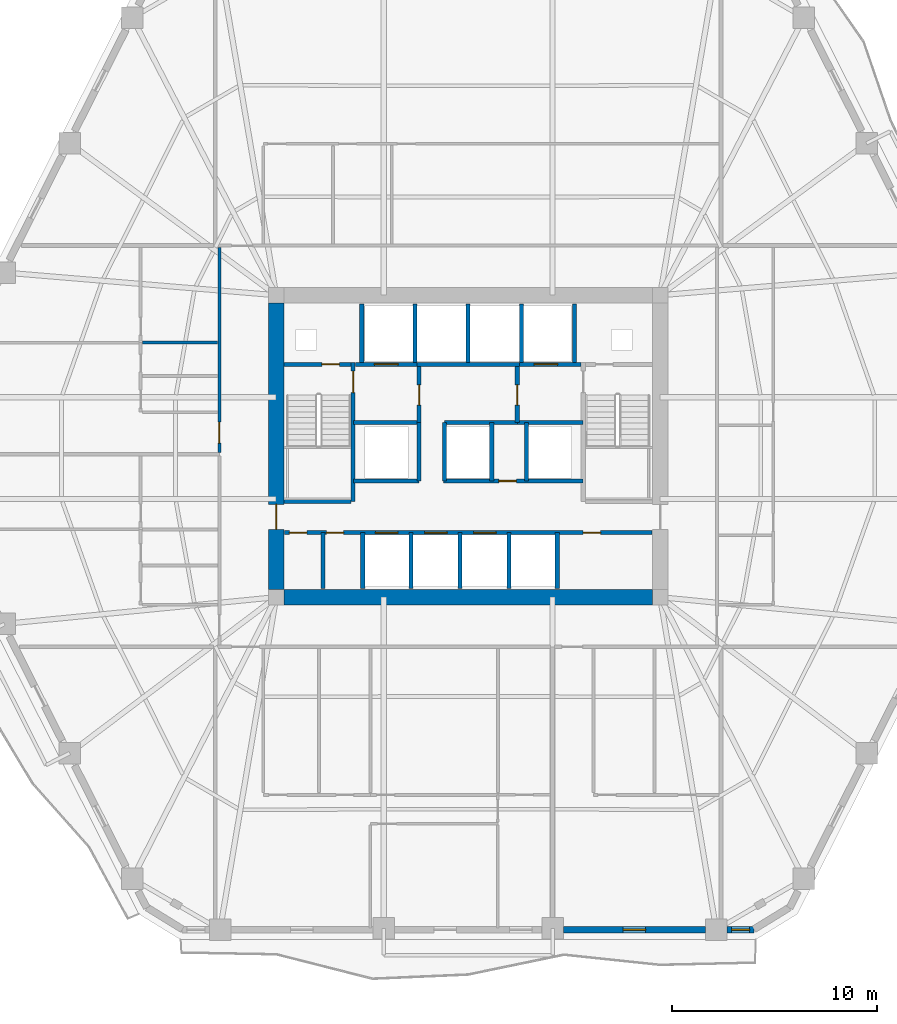
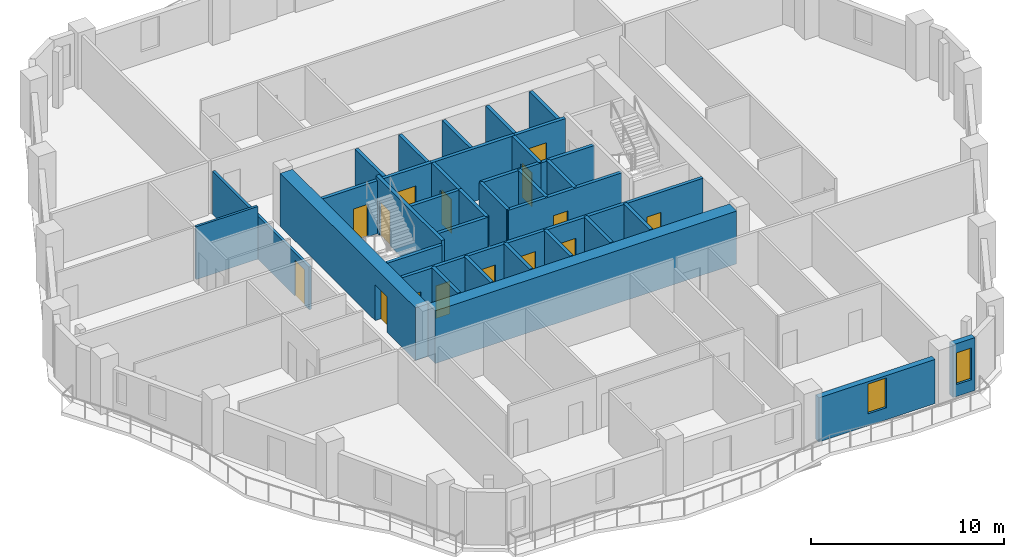
# One storey, part 5 of 10: 35 walls, 15 doors, 2 windows, 17 openings.
"""IFC4 building model written with IfcOpenShell, lengths in metres."""

from ifc_helpers import new_model, si_unit, direction, frame, frame_2d, origin, place, context, subcontext, project, spatial, rectangle, extrude, material, layer, layer_set, type_object, element, fill, save


model = new_model("IFC4")

# Units and contexts
model_context = context("Model", 3, precision=1e-05, world=origin(), true_north=direction((0.0, 1.0)))
body_context = subcontext(model_context, "Body", "Model", "MODEL_VIEW")
ifc_project = project(units=[si_unit("LENGTHUNIT", "METRE"), si_unit("AREAUNIT", "SQUARE_METRE"), si_unit("VOLUMEUNIT", "CUBIC_METRE"), si_unit("PLANEANGLEUNIT", "RADIAN"), si_unit("MASSUNIT", "GRAM", prefix="KILO")], contexts=[model_context])

# Site, building, storey
site_placement = place(None, origin())
site = spatial("IfcSite", under=ifc_project, at=site_placement, CompositionType="ELEMENT")
building_placement = place(site_placement, origin())
building = spatial("IfcBuilding", under=site, at=building_placement, Name="Cinnabar Lancet Tower", CompositionType="ELEMENT")
storey_placement = place(building_placement, frame((0.0, 0.0, 87.10009765625)))
storey = spatial("IfcBuildingStorey", under=building, at=storey_placement, Name="L22", CompositionType="ELEMENT", Elevation=87.10009765625)

# Wall, opening, door
ifc_material_1 = material(Name="Acoustic twin-stud gypsum partition", Category="gypsum")
ifc_layer_1 = layer(ifc_material_1, 0.159912109375)
ifc_layer_set_1 = layer_set([ifc_layer_1], Name="Acoustic twin-stud gypsum partition")
wall_type_1 = type_object("IfcWallType", Name="ARC-WL-CORR-160", PredefinedType="PARTITIONING", material=ifc_layer_set_1)
wall_1_placement = place(storey_placement, frame((20.25, 25.60302734375, 0.0), z_axis=(0.0, 0.0, 1.0), x_axis=(0.0, 1.0, 0.0)))
wall_1 = element("IfcWall", 1, at=wall_1_placement, inside=storey, type_object=wall_type_1, Name="UW-L22-W02-COR", PredefinedType="PARTITIONING", context=body_context, shape_type="SweptSolid", body=[
    extrude(rectangle(XDim=10.001953125, YDim=0.159912109375, at=frame_2d((5.0009765625, 0.0))), origin(), (0.0, 0.0, 1.0), 2.699951171875),
])
opening_1_placement = place(wall_1_placement, frame((0.449951171875, 0.0, 0.0)))
opening_1 = element("IfcOpeningElement", 2, at=opening_1_placement, cuts=wall_1, Name="Opening UD-01", PredefinedType="OPENING", context=body_context, shape_type="SweptSolid", body=[
    extrude(rectangle(XDim=1.02001953125, YDim=2.25, at=frame_2d((0.510009765625, 1.125))), frame((0.0, 0.08984375, 0.0), z_axis=(0.0, -1.0, 0.0), x_axis=(1.0, 0.0, 0.0)), (0.0, 0.0, 1.0), 0.179931640625),
])
ifc_material_2 = material(Name="Solid timber fire-rated apartment entrance door", Category="wood")
door_type_1 = type_object("IfcDoorType", Name="ARC-DR-UNIT", OperationType="NOTDEFINED", PredefinedType="DOOR", material=ifc_material_2)
door_1_placement = place(opening_1_placement, origin())
door_1 = element("IfcDoor", 3, at=door_1_placement, inside=storey, type_object=door_type_1, Name="DR-L22-W02-ENT", OperationType="SINGLE_SWING_RIGHT", OverallHeight=2.25, OverallWidth=1.02001953125, PredefinedType="DOOR", context=body_context, shape_type="SweptSolid", body=[
    extrude(rectangle(XDim=1.02001953125, YDim=2.25, at=frame_2d((0.510009765625, 1.125))), frame((0.0, 0.02490234375, 0.0), z_axis=(0.0, -1.0, 0.0), x_axis=(1.0, 0.0, 0.0)), (0.0, 0.0, 1.0), 0.050048828125),
])
fill(opening_1, door_1)

# Wall
ifc_material_3 = material(Name="Autoclaved aerated concrete blockwork", Category="masonry")
ifc_layer_2 = layer(ifc_material_3, 0.199951171875)
ifc_layer_set_2 = layer_set([ifc_layer_2], Name="Autoclaved aerated concrete blockwork")
wall_type_2 = type_object("IfcWallType", Name="ARC-WL-SHAFT-200", PredefinedType="PLUMBINGWALL", material=ifc_layer_set_2)
wall_2_placement = place(storey_placement, frame((23.405029296875, 23.199951171875, 0.0), z_axis=(0.0, 0.0, 1.0), x_axis=(1.0, 0.0, 0.0)))
element("IfcWall", 4, at=wall_2_placement, inside=storey, type_object=wall_type_2, Name="CW-ST1S-L22", PredefinedType="PLUMBINGWALL", context=body_context, shape_type="SweptSolid", body=[
    extrude(rectangle(XDim=3.27001953125, YDim=0.199951171875, at=frame_2d((1.635009765625, 0.0))), origin(), (0.0, 0.0, 1.0), 3.329833984375),
])

# Wall, opening, door
wall_3_placement = place(storey_placement, frame((23.405029296875, 29.89990234375, 0.0), z_axis=(0.0, 0.0, 1.0), x_axis=(1.0, 0.0, 0.0)))
wall_3 = element("IfcWall", 5, at=wall_3_placement, inside=storey, type_object=wall_type_2, Name="CW-NSH-W-L22", PredefinedType="PLUMBINGWALL", context=body_context, shape_type="SweptSolid", body=[
    extrude(rectangle(XDim=3.27001953125, YDim=0.199951171875, at=frame_2d((1.635009765625, 0.0))), origin(), (0.0, 0.0, 1.0), 3.329833984375),
])
opening_2_placement = place(wall_3_placement, frame((1.85009765625, 0.0, 0.0)))
opening_2 = element("IfcOpeningElement", 6, at=opening_2_placement, cuts=wall_3, Name="Opening PD-02", PredefinedType="OPENING", context=body_context, shape_type="SweptSolid", body=[
    extrude(rectangle(XDim=0.85009765625, YDim=2.050048828125, at=frame_2d((0.425048828125, 1.02490234375))), frame((0.0, 0.10986328125, 0.0), z_axis=(0.0, -1.0, 0.0), x_axis=(1.0, 0.0, 0.0)), (0.0, 0.0, 1.0), 0.219970703125),
])
ifc_material_4 = material(Name="Fire-rated steel riser access door", Category="steel")
door_type_2 = type_object("IfcDoorType", Name="ARC-DR-RISER", OperationType="NOTDEFINED", PredefinedType="DOOR", material=ifc_material_4)
door_2_placement = place(opening_2_placement, origin())
door_2 = element("IfcDoor", 7, at=door_2_placement, inside=storey, type_object=door_type_2, Name="L22 West Riser Access Door", OperationType="SINGLE_SWING_LEFT", OverallHeight=2.050048828125, OverallWidth=0.85009765625, PredefinedType="DOOR", context=body_context, shape_type="SweptSolid", body=[
    extrude(rectangle(XDim=0.85009765625, YDim=2.050048828125, at=frame_2d((0.425048828125, 1.02490234375))), frame((0.0, 0.02490234375, 0.0), z_axis=(0.0, -1.0, 0.0), x_axis=(1.0, 0.0, 0.0)), (0.0, 0.0, 1.0), 0.050048828125),
])
fill(opening_2, door_2)

wall_4_placement = place(storey_placement, frame((26.885009765625, 29.89990234375, 0.0), z_axis=(0.0, 0.0, 1.0), x_axis=(1.0, 0.0, 0.0)))
wall_4 = element("IfcWall", 8, at=wall_4_placement, inside=storey, type_object=wall_type_2, Name="CW-FL1-L22", PredefinedType="PLUMBINGWALL", context=body_context, shape_type="SweptSolid", body=[
    extrude(rectangle(XDim=3.014892578125, YDim=0.199951171875, at=frame_2d((1.50732421875, 0.0))), origin(), (0.0, 0.0, 1.0), 3.329833984375),
])
opening_3_placement = place(wall_4_placement, frame((0.93994140625, 0.0, 0.0)))
opening_3 = element("IfcOpeningElement", 9, at=opening_3_placement, cuts=wall_4, Name="Opening LD-02", PredefinedType="OPENING", context=body_context, shape_type="SweptSolid", body=[
    extrude(rectangle(XDim=1.14990234375, YDim=2.199951171875, at=frame_2d((0.574951171875, 1.10009765625))), frame((0.0, 0.10986328125, 0.0), z_axis=(0.0, -1.0, 0.0), x_axis=(1.0, 0.0, 0.0)), (0.0, 0.0, 1.0), 0.219970703125),
])
ifc_material_5 = material(Name="Fire-rated stainless steel firefighting lift landing door", Category="steel")
door_type_3 = type_object("IfcDoorType", Name="ARC-DR-LD-FIRE", OperationType="NOTDEFINED", PredefinedType="DOOR", material=ifc_material_5)
door_3_placement = place(opening_3_placement, origin())
door_3 = element("IfcDoor", 10, at=door_3_placement, inside=storey, type_object=door_type_3, Name="L22 Firefighting Lift FL-1 Landing Door", OperationType="DOUBLE_DOOR_SLIDING", OverallHeight=2.199951171875, OverallWidth=1.14990234375, PredefinedType="DOOR", context=body_context, shape_type="SweptSolid", body=[
    extrude(rectangle(XDim=1.14990234375, YDim=2.199951171875, at=frame_2d((0.574951171875, 1.10009765625))), frame((0.0, 0.02490234375, 0.0), z_axis=(0.0, -1.0, 0.0), x_axis=(1.0, 0.0, 0.0)), (0.0, 0.0, 1.0), 0.050048828125),
])
fill(opening_3, door_3)

# Wall
wall_5_placement = place(storey_placement, frame((29.89990234375, 29.89990234375, 0.0), z_axis=(0.0, 0.0, 1.0), x_axis=(1.0, 0.0, 0.0)))
element("IfcWall", 11, at=wall_5_placement, inside=storey, type_object=wall_type_2, Name="CW-PL78-L22", PredefinedType="PLUMBINGWALL", context=body_context, shape_type="SweptSolid", body=[
    extrude(rectangle(XDim=5.0, YDim=0.199951171875, at=frame_2d((2.5, 0.0))), origin(), (0.0, 0.0, 1.0), 3.329833984375),
])

# Wall, opening, door
wall_6_placement = place(storey_placement, frame((34.89990234375, 29.89990234375, 0.0), z_axis=(0.0, 0.0, 1.0), x_axis=(1.0, 0.0, 0.0)))
wall_6 = element("IfcWall", 12, at=wall_6_placement, inside=storey, type_object=wall_type_2, Name="CW-FL2-L22", PredefinedType="PLUMBINGWALL", context=body_context, shape_type="SweptSolid", body=[
    extrude(rectangle(XDim=3.01513671875, YDim=0.199951171875, at=frame_2d((1.507568359375, 0.0))), origin(), (0.0, 0.0, 1.0), 3.329833984375),
])
opening_4_placement = place(wall_6_placement, frame((0.72509765625, 0.0, 0.0)))
opening_4 = element("IfcOpeningElement", 13, at=opening_4_placement, cuts=wall_6, Name="Opening LD-02", PredefinedType="OPENING", context=body_context, shape_type="SweptSolid", body=[
    extrude(rectangle(XDim=1.14990234375, YDim=2.199951171875, at=frame_2d((0.574951171875, 1.10009765625))), frame((0.0, 0.10986328125, 0.0), z_axis=(0.0, -1.0, 0.0), x_axis=(1.0, 0.0, 0.0)), (0.0, 0.0, 1.0), 0.219970703125),
])
door_4_placement = place(opening_4_placement, origin())
door_4 = element("IfcDoor", 14, at=door_4_placement, inside=storey, type_object=door_type_3, Name="L22 Firefighting Lift FL-2 Landing Door", OperationType="DOUBLE_DOOR_SLIDING", OverallHeight=2.199951171875, OverallWidth=1.14990234375, PredefinedType="DOOR", context=body_context, shape_type="SweptSolid", body=[
    extrude(rectangle(XDim=1.14990234375, YDim=2.199951171875, at=frame_2d((0.574951171875, 1.10009765625))), frame((0.0, 0.02490234375, 0.0), z_axis=(0.0, -1.0, 0.0), x_axis=(1.0, 0.0, 0.0)), (0.0, 0.0, 1.0), 0.050048828125),
])
fill(opening_4, door_4)

# Walls
for number, where, z_axis, x_axis, name in (
    (15, (27.199951171875, 30.0, 0.0), (0.0, 0.0, 1.0), (0.0, 1.0, 0.0), "CW-NSH-D1-L22"),
    (16, (29.800048828125, 30.0, 0.0), (0.0, 0.0, 1.0), (0.0, 1.0, 0.0), "CW-NSH-D2-L22"),
    (17, (32.39990234375, 30.0, 0.0), (0.0, 0.0, 1.0), (0.0, 1.0, 0.0), "CW-NSH-D3-L22"),
    (18, (35.0, 30.0, 0.0), (0.0, 0.0, 1.0), (0.0, 1.0, 0.0), "CW-NSH-D4-L22"),
    (19, (37.60009765625, 30.0, 0.0), (0.0, 0.0, 1.0), (0.0, 1.0, 0.0), "CW-NSH-D5-L22"),
):
    element("IfcWall", number, at=place(storey_placement, frame(where, z_axis=z_axis, x_axis=x_axis)), inside=storey, type_object=wall_type_2, Name=name, PredefinedType="PLUMBINGWALL", context=body_context, shape_type="SweptSolid", body=[
        extrude(rectangle(XDim=2.85009765625, YDim=0.199951171875, at=frame_2d((1.425048828125, 0.0))), origin(), (0.0, 0.0, 1.0), 3.329833984375),
    ])

# Wall, opening, door
wall_7_placement = place(storey_placement, frame((30.0, 27.050048828125, 0.0), z_axis=(0.0, 0.0, 1.0), x_axis=(0.0, 1.0, 0.0)))
wall_7 = element("IfcWall", 20, at=wall_7_placement, inside=storey, type_object=wall_type_2, Name="CW-FF1E-L22", PredefinedType="PLUMBINGWALL", context=body_context, shape_type="SweptSolid", body=[
    extrude(rectangle(XDim=2.75, YDim=0.199951171875, at=frame_2d((1.375, 0.0))), origin(), (0.0, 0.0, 1.0), 3.329833984375),
])
opening_5_placement = place(wall_7_placement, frame((0.85009765625, 0.0, 0.0)))
opening_5 = element("IfcOpeningElement", 21, at=opening_5_placement, cuts=wall_7, Name="Opening FD-01", PredefinedType="OPENING", context=body_context, shape_type="SweptSolid", body=[
    extrude(rectangle(XDim=1.0, YDim=2.14990234375, at=frame_2d((0.5, 1.074951171875))), frame((0.0, 0.10986328125, 0.0), z_axis=(0.0, -1.0, 0.0), x_axis=(1.0, 0.0, 0.0)), (0.0, 0.0, 1.0), 0.219970703125),
])
ifc_material_6 = material(Name="Fire-rated timber-core lobby door", Category="wood")
door_type_4 = type_object("IfcDoorType", Name="ARC-DR-FFAL", OperationType="NOTDEFINED", PredefinedType="DOOR", material=ifc_material_6)
door_5_placement = place(opening_5_placement, origin())
door_5 = element("IfcDoor", 22, at=door_5_placement, inside=storey, type_object=door_type_4, Name="L22 FFAL-1 Lobby Fire Door", OperationType="SINGLE_SWING_RIGHT", OverallHeight=2.14990234375, OverallWidth=1.0, PredefinedType="DOOR", context=body_context, shape_type="SweptSolid", body=[
    extrude(rectangle(XDim=1.0, YDim=2.14990234375, at=frame_2d((0.5, 1.074951171875))), frame((0.0, 0.02490234375, 0.0), z_axis=(0.0, -1.0, 0.0), x_axis=(1.0, 0.0, 0.0)), (0.0, 0.0, 1.0), 0.050048828125),
])
fill(opening_5, door_5)

# Wall
wall_8_placement = place(storey_placement, frame((26.800048828125, 27.050048828125, 0.0), z_axis=(0.0, 0.0, 1.0), x_axis=(1.0, 0.0, 0.0)))
element("IfcWall", 23, at=wall_8_placement, inside=storey, type_object=wall_type_2, Name="CW-FF1S-L22", PredefinedType="PLUMBINGWALL", context=body_context, shape_type="SweptSolid", body=[
    extrude(rectangle(XDim=3.199951171875, YDim=0.199951171875, at=frame_2d((1.60009765625, 0.0))), origin(), (0.0, 0.0, 1.0), 3.329833984375),
])

# Wall, opening, door
wall_9_placement = place(storey_placement, frame((34.800048828125, 27.050048828125, 0.0), z_axis=(0.0, 0.0, 1.0), x_axis=(0.0, 1.0, 0.0)))
wall_9 = element("IfcWall", 24, at=wall_9_placement, inside=storey, type_object=wall_type_2, Name="CW-FF2W-L22", PredefinedType="PLUMBINGWALL", context=body_context, shape_type="SweptSolid", body=[
    extrude(rectangle(XDim=2.75, YDim=0.199951171875, at=frame_2d((1.375, 0.0))), origin(), (0.0, 0.0, 1.0), 3.329833984375),
])
opening_6_placement = place(wall_9_placement, frame((0.85009765625, 0.0, 0.0)))
opening_6 = element("IfcOpeningElement", 25, at=opening_6_placement, cuts=wall_9, Name="Opening FD-01", PredefinedType="OPENING", context=body_context, shape_type="SweptSolid", body=[
    extrude(rectangle(XDim=1.0, YDim=2.14990234375, at=frame_2d((0.5, 1.074951171875))), frame((0.0, 0.10986328125, 0.0), z_axis=(0.0, -1.0, 0.0), x_axis=(1.0, 0.0, 0.0)), (0.0, 0.0, 1.0), 0.219970703125),
])
door_6_placement = place(opening_6_placement, origin())
door_6 = element("IfcDoor", 26, at=door_6_placement, inside=storey, type_object=door_type_4, Name="L22 FFAL-2 Lobby Fire Door", OperationType="SINGLE_SWING_LEFT", OverallHeight=2.14990234375, OverallWidth=1.0, PredefinedType="DOOR", context=body_context, shape_type="SweptSolid", body=[
    extrude(rectangle(XDim=1.0, YDim=2.14990234375, at=frame_2d((0.5, 1.074951171875))), frame((0.0, 0.02490234375, 0.0), z_axis=(0.0, -1.0, 0.0), x_axis=(1.0, 0.0, 0.0)), (0.0, 0.0, 1.0), 0.050048828125),
])
fill(opening_6, door_6)

# Walls
for number, where, z_axis, x_axis, name in (
    (27, (34.800048828125, 27.050048828125, 0.0), (0.0, 0.0, 1.0), (1.0, 0.0, 0.0), "CW-FF2S-L22"),
    (28, (26.800048828125, 24.199951171875, 0.0), (0.0, 0.0, 1.0), (1.0, 0.0, 0.0), "CW-PL5S-L22"),
):
    element("IfcWall", number, at=place(storey_placement, frame(where, z_axis=z_axis, x_axis=x_axis)), inside=storey, type_object=wall_type_2, Name=name, PredefinedType="PLUMBINGWALL", context=body_context, shape_type="SweptSolid", body=[
        extrude(rectangle(XDim=3.199951171875, YDim=0.199951171875, at=frame_2d((1.60009765625, 0.0))), origin(), (0.0, 0.0, 1.0), 3.329833984375),
    ])
wall_10_placement = place(storey_placement, frame((30.0, 24.199951171875, 0.0), z_axis=(0.0, 0.0, 1.0), x_axis=(0.0, 1.0, 0.0)))
element("IfcWall", 29, at=wall_10_placement, inside=storey, type_object=wall_type_2, Name="CW-PL5E-L22", PredefinedType="PLUMBINGWALL", context=body_context, shape_type="SweptSolid", body=[
    extrude(rectangle(XDim=2.85009765625, YDim=0.199951171875, at=frame_2d((1.425048828125, 0.0))), origin(), (0.0, 0.0, 1.0), 3.329833984375),
])

# Wall, opening, door
wall_11_placement = place(storey_placement, frame((31.199951171875, 24.199951171875, 0.0), z_axis=(0.0, 0.0, 1.0), x_axis=(1.0, 0.0, 0.0)))
wall_11 = element("IfcWall", 30, at=wall_11_placement, inside=storey, type_object=wall_type_2, Name="CW-PL96S-L22", PredefinedType="PLUMBINGWALL", context=body_context, shape_type="SweptSolid", body=[
    extrude(rectangle(XDim=6.800048828125, YDim=0.199951171875, at=frame_2d((3.39990234375, 0.0))), origin(), (0.0, 0.0, 1.0), 3.329833984375),
])
opening_7_placement = place(wall_11_placement, frame((2.699951171875, 0.0, 0.0)))
opening_7 = element("IfcOpeningElement", 31, at=opening_7_placement, cuts=wall_11, Name="Opening PD-02", PredefinedType="OPENING", context=body_context, shape_type="SweptSolid", body=[
    extrude(rectangle(XDim=0.85009765625, YDim=2.050048828125, at=frame_2d((0.425048828125, 1.02490234375))), frame((0.0, 0.10986328125, 0.0), z_axis=(0.0, -1.0, 0.0), x_axis=(1.0, 0.0, 0.0)), (0.0, 0.0, 1.0), 0.219970703125),
])
door_7_placement = place(opening_7_placement, origin())
door_7 = element("IfcDoor", 32, at=door_7_placement, inside=storey, type_object=door_type_2, Name="L22 BMS Closet Door", OperationType="SINGLE_SWING_LEFT", OverallHeight=2.050048828125, OverallWidth=0.85009765625, PredefinedType="DOOR", context=body_context, shape_type="SweptSolid", body=[
    extrude(rectangle(XDim=0.85009765625, YDim=2.050048828125, at=frame_2d((0.425048828125, 1.02490234375))), frame((0.0, 0.02490234375, 0.0), z_axis=(0.0, -1.0, 0.0), x_axis=(1.0, 0.0, 0.0)), (0.0, 0.0, 1.0), 0.050048828125),
])
fill(opening_7, door_7)

# Walls
for number, where, z_axis, x_axis, name in (
    (33, (31.25, 24.199951171875, 0.0), (0.0, 0.0, 1.0), (0.0, 1.0, 0.0), "CW-PL9W-L22"),
    (34, (33.550048828125, 24.199951171875, 0.0), (0.0, 0.0, 1.0), (0.0, 1.0, 0.0), "CW-PL9E-L22"),
    (35, (35.25, 24.199951171875, 0.0), (0.0, 0.0, 1.0), (0.0, 1.0, 0.0), "CW-PL6W-L22"),
):
    element("IfcWall", number, at=place(storey_placement, frame(where, z_axis=z_axis, x_axis=x_axis)), inside=storey, type_object=wall_type_2, Name=name, PredefinedType="PLUMBINGWALL", context=body_context, shape_type="SweptSolid", body=[
        extrude(rectangle(XDim=2.85009765625, YDim=0.199951171875, at=frame_2d((1.425048828125, 0.0))), origin(), (0.0, 0.0, 1.0), 3.329833984375),
    ])
wall_12_placement = place(storey_placement, frame((31.25, 27.050048828125, 0.0), z_axis=(0.0, 0.0, 1.0), x_axis=(1.0, 0.0, 0.0)))
element("IfcWall", 36, at=wall_12_placement, inside=storey, type_object=wall_type_2, Name="CW-PL96N-L22", PredefinedType="PLUMBINGWALL", context=body_context, shape_type="SweptSolid", body=[
    extrude(rectangle(XDim=3.550048828125, YDim=0.199951171875, at=frame_2d((1.77490234375, 0.0))), origin(), (0.0, 0.0, 1.0), 3.329833984375),
])

# Wall, openings, doors
wall_13_placement = place(storey_placement, frame((23.419921875, 21.679931640625, 0.0), z_axis=(0.0, 0.0, 1.0), x_axis=(1.0, 0.0, 0.0)))
wall_13 = element("IfcWall", 37, at=wall_13_placement, inside=storey, type_object=wall_type_2, Name="CW-SBANDN-L22", PredefinedType="PLUMBINGWALL", context=body_context, shape_type="SweptSolid", body=[
    extrude(rectangle(XDim=17.9599609375, YDim=0.199951171875, at=frame_2d((8.97998046875, 0.0))), origin(), (0.0, 0.0, 1.0), 3.329833984375),
])
opening_8_placement = place(wall_13_placement, frame((4.449951171875, 0.0, 0.0)))
opening_8 = element("IfcOpeningElement", 38, at=opening_8_placement, cuts=wall_13, Name="Opening LD-01", PredefinedType="OPENING", context=body_context, shape_type="SweptSolid", body=[
    extrude(rectangle(XDim=1.10009765625, YDim=2.199951171875, at=frame_2d((0.550048828125, 1.10009765625))), frame((0.0, 0.10986328125, 0.0), z_axis=(0.0, -1.0, 0.0), x_axis=(1.0, 0.0, 0.0)), (0.0, 0.0, 1.0), 0.219970703125),
])
opening_9_placement = place(wall_13_placement, frame((6.85009765625, 0.0, 0.0)))
opening_9 = element("IfcOpeningElement", 39, at=opening_9_placement, cuts=wall_13, Name="Opening LD-01", PredefinedType="OPENING", context=body_context, shape_type="SweptSolid", body=[
    extrude(rectangle(XDim=1.10009765625, YDim=2.199951171875, at=frame_2d((0.550048828125, 1.10009765625))), frame((0.0, 0.10986328125, 0.0), z_axis=(0.0, -1.0, 0.0), x_axis=(1.0, 0.0, 0.0)), (0.0, 0.0, 1.0), 0.219970703125),
])
opening_10_placement = place(wall_13_placement, frame((9.25, 0.0, 0.0)))
opening_10 = element("IfcOpeningElement", 40, at=opening_10_placement, cuts=wall_13, Name="Opening LD-01", PredefinedType="OPENING", context=body_context, shape_type="SweptSolid", body=[
    extrude(rectangle(XDim=1.10009765625, YDim=2.199951171875, at=frame_2d((0.550048828125, 1.10009765625))), frame((0.0, 0.10986328125, 0.0), z_axis=(0.0, -1.0, 0.0), x_axis=(1.0, 0.0, 0.0)), (0.0, 0.0, 1.0), 0.219970703125),
])
opening_11_placement = place(wall_13_placement, frame((0.25, 0.0, 0.0)))
opening_11 = element("IfcOpeningElement", 41, at=opening_11_placement, cuts=wall_13, Name="Opening PD-02", PredefinedType="OPENING", context=body_context, shape_type="SweptSolid", body=[
    extrude(rectangle(XDim=0.85009765625, YDim=2.050048828125, at=frame_2d((0.425048828125, 1.02490234375))), frame((0.0, 0.10986328125, 0.0), z_axis=(0.0, -1.0, 0.0), x_axis=(1.0, 0.0, 0.0)), (0.0, 0.0, 1.0), 0.219970703125),
])
opening_12_placement = place(wall_13_placement, frame((2.050048828125, 0.0, 0.0)))
opening_12 = element("IfcOpeningElement", 42, at=opening_12_placement, cuts=wall_13, Name="Opening PD-02", PredefinedType="OPENING", context=body_context, shape_type="SweptSolid", body=[
    extrude(rectangle(XDim=0.85009765625, YDim=2.050048828125, at=frame_2d((0.425048828125, 1.02490234375))), frame((0.0, 0.10986328125, 0.0), z_axis=(0.0, -1.0, 0.0), x_axis=(1.0, 0.0, 0.0)), (0.0, 0.0, 1.0), 0.219970703125),
])
opening_13_placement = place(wall_13_placement, frame((14.60009765625, 0.0, 0.0)))
opening_13 = element("IfcOpeningElement", 43, at=opening_13_placement, cuts=wall_13, Name="Opening PD-02", PredefinedType="OPENING", context=body_context, shape_type="SweptSolid", body=[
    extrude(rectangle(XDim=0.85009765625, YDim=2.050048828125, at=frame_2d((0.425048828125, 1.02490234375))), frame((0.0, 0.10986328125, 0.0), z_axis=(0.0, -1.0, 0.0), x_axis=(1.0, 0.0, 0.0)), (0.0, 0.0, 1.0), 0.219970703125),
])
ifc_material_7 = material(Name="Brushed stainless steel sliding lift door", Category="steel")
door_type_5 = type_object("IfcDoorType", Name="ARC-DR-LD-PASS", OperationType="NOTDEFINED", PredefinedType="DOOR", material=ifc_material_7)
door_8_placement = place(opening_8_placement, origin())
door_8 = element("IfcDoor", 44, at=door_8_placement, inside=storey, type_object=door_type_5, Name="L22 Lift PL-1 Landing Door", OperationType="DOUBLE_DOOR_SLIDING", OverallHeight=2.199951171875, OverallWidth=1.10009765625, PredefinedType="DOOR", context=body_context, shape_type="SweptSolid", body=[
    extrude(rectangle(XDim=1.10009765625, YDim=2.199951171875, at=frame_2d((0.550048828125, 1.10009765625))), frame((0.0, 0.02490234375, 0.0), z_axis=(0.0, -1.0, 0.0), x_axis=(1.0, 0.0, 0.0)), (0.0, 0.0, 1.0), 0.050048828125),
])
fill(opening_8, door_8)
door_9_placement = place(opening_9_placement, origin())
door_9 = element("IfcDoor", 45, at=door_9_placement, inside=storey, type_object=door_type_5, Name="L22 Lift PL-2 Landing Door", OperationType="DOUBLE_DOOR_SLIDING", OverallHeight=2.199951171875, OverallWidth=1.10009765625, PredefinedType="DOOR", context=body_context, shape_type="SweptSolid", body=[
    extrude(rectangle(XDim=1.10009765625, YDim=2.199951171875, at=frame_2d((0.550048828125, 1.10009765625))), frame((0.0, 0.02490234375, 0.0), z_axis=(0.0, -1.0, 0.0), x_axis=(1.0, 0.0, 0.0)), (0.0, 0.0, 1.0), 0.050048828125),
])
fill(opening_9, door_9)
door_10_placement = place(opening_10_placement, origin())
door_10 = element("IfcDoor", 46, at=door_10_placement, inside=storey, type_object=door_type_5, Name="L22 Lift PL-3 Landing Door", OperationType="DOUBLE_DOOR_SLIDING", OverallHeight=2.199951171875, OverallWidth=1.10009765625, PredefinedType="DOOR", context=body_context, shape_type="SweptSolid", body=[
    extrude(rectangle(XDim=1.10009765625, YDim=2.199951171875, at=frame_2d((0.550048828125, 1.10009765625))), frame((0.0, 0.02490234375, 0.0), z_axis=(0.0, -1.0, 0.0), x_axis=(1.0, 0.0, 0.0)), (0.0, 0.0, 1.0), 0.050048828125),
])
fill(opening_10, door_10)
door_11_placement = place(opening_11_placement, origin())
door_11 = element("IfcDoor", 47, at=door_11_placement, inside=storey, type_object=door_type_2, Name="DR-L22-SW1", OperationType="SINGLE_SWING_LEFT", OverallHeight=2.050048828125, OverallWidth=0.85009765625, PredefinedType="DOOR", context=body_context, shape_type="SweptSolid", body=[
    extrude(rectangle(XDim=0.85009765625, YDim=2.050048828125, at=frame_2d((0.425048828125, 1.02490234375))), frame((0.0, 0.02490234375, 0.0), z_axis=(0.0, -1.0, 0.0), x_axis=(1.0, 0.0, 0.0)), (0.0, 0.0, 1.0), 0.050048828125),
])
fill(opening_11, door_11)
door_12_placement = place(opening_12_placement, origin())
door_12 = element("IfcDoor", 48, at=door_12_placement, inside=storey, type_object=door_type_2, Name="DR-L22-SW2", OperationType="SINGLE_SWING_RIGHT", OverallHeight=2.050048828125, OverallWidth=0.85009765625, PredefinedType="DOOR", context=body_context, shape_type="SweptSolid", body=[
    extrude(rectangle(XDim=0.85009765625, YDim=2.050048828125, at=frame_2d((0.425048828125, 1.02490234375))), frame((0.0, 0.02490234375, 0.0), z_axis=(0.0, -1.0, 0.0), x_axis=(1.0, 0.0, 0.0)), (0.0, 0.0, 1.0), 0.050048828125),
])
fill(opening_12, door_12)
door_13_placement = place(opening_13_placement, origin())
door_13 = element("IfcDoor", 49, at=door_13_placement, inside=storey, type_object=door_type_2, Name="DR-L22-SE1", OperationType="SINGLE_SWING_LEFT", OverallHeight=2.050048828125, OverallWidth=0.85009765625, PredefinedType="DOOR", context=body_context, shape_type="SweptSolid", body=[
    extrude(rectangle(XDim=0.85009765625, YDim=2.050048828125, at=frame_2d((0.425048828125, 1.02490234375))), frame((0.0, 0.02490234375, 0.0), z_axis=(0.0, -1.0, 0.0), x_axis=(1.0, 0.0, 0.0)), (0.0, 0.0, 1.0), 0.050048828125),
])
fill(opening_13, door_13)

# Walls
for number, where, z_axis, x_axis, name in (
    (50, (27.25, 18.949951171875, 0.0), (0.0, 0.0, 1.0), (0.0, 1.0, 0.0), "CW-SB-2725-L22"),
    (51, (29.60009765625, 18.949951171875, 0.0), (0.0, 0.0, 1.0), (0.0, 1.0, 0.0), "CW-SB-2960-L22"),
    (52, (32.0, 18.949951171875, 0.0), (0.0, 0.0, 1.0), (0.0, 1.0, 0.0), "CW-SB-3200-L22"),
    (53, (34.39990234375, 18.949951171875, 0.0), (0.0, 0.0, 1.0), (0.0, 1.0, 0.0), "CW-SB-3440-L22"),
    (54, (36.75, 18.949951171875, 0.0), (0.0, 0.0, 1.0), (0.0, 1.0, 0.0), "CW-SB-3675-L22"),
    (55, (25.300048828125, 18.949951171875, 0.0), (0.0, 0.0, 1.0), (0.0, 1.0, 0.0), "CW-SB-SW-L22"),
):
    element("IfcWall", number, at=place(storey_placement, frame(where, z_axis=z_axis, x_axis=x_axis)), inside=storey, type_object=wall_type_2, Name=name, PredefinedType="PLUMBINGWALL", context=body_context, shape_type="SweptSolid", body=[
        extrude(rectangle(XDim=2.72998046875, YDim=0.199951171875, at=frame_2d((1.364990234375, 0.0))), origin(), (0.0, 0.0, 1.0), 3.329833984375),
    ])
ifc_material_8 = material(Name="Moisture-resistant cement-board plumbing wall", Category="masonry")
ifc_layer_3 = layer(ifc_material_8, 0.139892578125)
ifc_layer_set_3 = layer_set([ifc_layer_3], Name="Moisture-resistant cement-board plumbing wall")
wall_type_3 = type_object("IfcWallType", Name="ARC-WL-WET-140", PredefinedType="PLUMBINGWALL", material=ifc_layer_set_3)
wall_14_placement = place(storey_placement, frame((16.485107421875, 30.9580078125, 0.0), z_axis=(0.0, 0.0, 1.0), x_axis=(1.0, 0.0, 0.0)))
element("IfcWall", 56, at=wall_14_placement, inside=storey, type_object=wall_type_3, Name="UW-L22-W02-ENSN", PredefinedType="PLUMBINGWALL", context=body_context, shape_type="SweptSolid", body=[
    extrude(rectangle(XDim=3.679931640625, YDim=0.139892578125, at=frame_2d((1.83984375, 0.0))), origin(), (0.0, 0.0, 1.0), 3.329833984375),
])

# Wall, opening, window
ifc_material_9 = material(Name="Cinnabar red clay brick", Category="masonry")
ifc_layer_4 = layer(ifc_material_9, 0.340087890625)
ifc_layer_set_4 = layer_set([ifc_layer_4], Name="Cinnabar red clay brick")
wall_type_4 = type_object("IfcWallType", Name="ENV-WL-BRK-RED-340", PredefinedType="STANDARD", material=ifc_layer_set_4)
wall_15_placement = place(storey_placement, frame((37.051025390625, 2.280029296875, 0.0), z_axis=(0.0, 0.0, 1.0), x_axis=(1.0, 0.0, 0.0)))
wall_15 = element("IfcWall", 57, at=wall_15_placement, inside=storey, type_object=wall_type_4, Name="L22 Face 1 Masonry Bay Wall 4", PredefinedType="STANDARD", context=body_context, shape_type="SweptSolid", body=[
    extrude(rectangle(XDim=6.93701171875, YDim=0.340087890625, at=frame_2d((3.468505859375, 0.0))), origin(), (0.0, 0.0, 1.0), 2.786865234375),
])
opening_14_placement = place(wall_15_placement, frame((2.91796875, 0.0, 0.75)))
opening_14 = element("IfcOpeningElement", 58, at=opening_14_placement, cuts=wall_15, Name="Opening WN-04", PredefinedType="OPENING", context=body_context, shape_type="SweptSolid", body=[
    extrude(rectangle(XDim=1.10009765625, YDim=1.886962890625, at=frame_2d((0.550048828125, 0.943359375))), frame((0.0, 0.179931640625, 0.0), z_axis=(0.0, -1.0, 0.0), x_axis=(1.0, 0.0, 0.0)), (0.0, 0.0, 1.0), 0.360107421875),
])
ifc_material_10 = material(Name="Thermally broken bronze-anodized aluminium tall lancet window", Category="aluminium")
window_type = type_object("IfcWindowType", Name="ENV-WN-LANCET-1100", PartitioningType="SINGLE_PANEL", PredefinedType="WINDOW", material=ifc_material_10)
window_1_placement = place(opening_14_placement, origin())
window_1 = element("IfcWindow", 59, at=window_1_placement, inside=storey, type_object=window_type, Name="L22 Face 1 Gothic Lancet Window 4", OverallHeight=1.886962890625, OverallWidth=1.10009765625, PartitioningType="SINGLE_PANEL", PredefinedType="WINDOW", context=body_context, shape_type="SweptSolid", body=[
    extrude(rectangle(XDim=1.10009765625, YDim=1.886962890625, at=frame_2d((0.550048828125, 0.943359375))), frame((0.0, 0.030029296875, 0.0), z_axis=(0.0, -1.0, 0.0), x_axis=(1.0, 0.0, 0.0)), (0.0, 0.0, 1.0), 0.06005859375),
])
fill(opening_14, window_1)

wall_16_placement = place(storey_placement, frame((45.0458984375, 2.280029296875, 0.0), z_axis=(0.0, 0.0, 1.0), x_axis=(1.0, 0.0, 0.0)))
wall_16 = element("IfcWall", 60, at=wall_16_placement, inside=storey, type_object=wall_type_4, Name="L22 Face 1 Masonry Bay Wall 5", PredefinedType="STANDARD", context=body_context, shape_type="SweptSolid", body=[
    extrude(rectangle(XDim=1.320068359375, YDim=0.340087890625, at=frame_2d((0.66015625, 0.0))), origin(), (0.0, 0.0, 1.0), 3.329833984375),
])
opening_15_placement = place(wall_16_placement, frame((0.219970703125, 0.0, 0.75)))
opening_15 = element("IfcOpeningElement", 61, at=opening_15_placement, cuts=wall_16, Name="Opening WN-04", PredefinedType="OPENING", context=body_context, shape_type="SweptSolid", body=[
    extrude(rectangle(XDim=0.8798828125, YDim=2.0, at=frame_2d((0.43994140625, 1.0))), frame((0.0, 0.179931640625, 0.0), z_axis=(0.0, -1.0, 0.0), x_axis=(1.0, 0.0, 0.0)), (0.0, 0.0, 1.0), 0.360107421875),
])
window_2_placement = place(opening_15_placement, origin())
window_2 = element("IfcWindow", 62, at=window_2_placement, inside=storey, type_object=window_type, Name="L22 Split-Bay Gothic Lancet Window 68", OverallHeight=2.0, OverallWidth=0.8798828125, PartitioningType="SINGLE_PANEL", PredefinedType="WINDOW", context=body_context, shape_type="SweptSolid", body=[
    extrude(rectangle(XDim=0.8798828125, YDim=2.0, at=frame_2d((0.43994140625, 1.0))), frame((0.0, 0.030029296875, 0.0), z_axis=(0.0, -1.0, 0.0), x_axis=(1.0, 0.0, 0.0)), (0.0, 0.0, 1.0), 0.06005859375),
])
fill(opening_15, window_2)

# Wall
ifc_material_11 = material(Name="Concrete C70/85", Category="concrete")
ifc_layer_5 = layer(ifc_material_11, 0.75)
ifc_layer_set_5 = layer_set([ifc_layer_5], Name="Concrete C70/85")
wall_type_5 = type_object("IfcWallType", Name="STR-WL-CORE-750", PredefinedType="SHEAR", material=ifc_layer_set_5)
wall_17_placement = place(storey_placement, frame((23.39990234375, 18.52490234375, 0.0), z_axis=(0.0, 0.0, 1.0), x_axis=(1.0, 0.0, 0.0)))
element("IfcWall", 63, at=wall_17_placement, inside=storey, type_object=wall_type_5, Name="L22 Core Shear Wall S", PredefinedType="SHEAR", context=body_context, shape_type="SweptSolid", body=[
    extrude(rectangle(XDim=18.0, YDim=0.75, at=frame_2d((9.0, 0.0))), origin(), (0.0, 0.0, 1.0), 3.329833984375),
])

# Wall, opening, door
wall_18_placement = place(storey_placement, frame((23.02490234375, 18.89990234375, 0.0), z_axis=(0.0, 0.0, 1.0), x_axis=(0.0, 1.0, 0.0)))
wall_18 = element("IfcWall", 64, at=wall_18_placement, inside=storey, type_object=wall_type_5, Name="L22 Core Shear Wall W", PredefinedType="SHEAR", context=body_context, shape_type="SweptSolid", body=[
    extrude(rectangle(XDim=14.0, YDim=0.75, at=frame_2d((7.0, 0.0))), origin(), (0.0, 0.0, 1.0), 3.329833984375),
])
opening_16_placement = place(wall_18_placement, frame((2.93994140625, 0.0, 0.0)))
opening_16 = element("IfcOpeningElement", 65, at=opening_16_placement, cuts=wall_18, Name="Opening FD-02", PredefinedType="OPENING", context=body_context, shape_type="SweptSolid", body=[
    extrude(rectangle(XDim=1.219970703125, YDim=2.25, at=frame_2d((0.60986328125, 1.125))), frame((0.0, 0.385009765625, 0.0), z_axis=(0.0, -1.0, 0.0), x_axis=(1.0, 0.0, 0.0)), (0.0, 0.0, 1.0), 0.77001953125),
])
ifc_material_12 = material(Name="Fire-rated double-vision core portal door", Category="wood")
door_type_6 = type_object("IfcDoorType", Name="ARC-DR-CPORT", OperationType="NOTDEFINED", PredefinedType="DOOR", material=ifc_material_12)
door_14_placement = place(opening_16_placement, origin())
door_14 = element("IfcDoor", 66, at=door_14_placement, inside=storey, type_object=door_type_6, Name="L22 West Core Lobby Fire Door", OperationType="SINGLE_SWING_RIGHT", OverallHeight=2.25, OverallWidth=1.219970703125, PredefinedType="DOOR", context=body_context, shape_type="SweptSolid", body=[
    extrude(rectangle(XDim=1.219970703125, YDim=2.25, at=frame_2d((0.60986328125, 1.125))), frame((0.0, 0.02490234375, 0.0), z_axis=(0.0, -1.0, 0.0), x_axis=(1.0, 0.0, 0.0)), (0.0, 0.0, 1.0), 0.050048828125),
])
fill(opening_16, door_14)

ifc_material_13 = material(Name="Concrete C50/60", Category="concrete")
ifc_layer_6 = layer(ifc_material_13, 0.199951171875)
ifc_layer_set_6 = layer_set([ifc_layer_6], Name="Concrete C50/60")
wall_type_6 = type_object("IfcWallType", Name="STR-WL-STAIR-200", PredefinedType="SHEAR", material=ifc_layer_set_6)
wall_19_placement = place(storey_placement, frame((26.780029296875, 23.199951171875, 0.0), z_axis=(0.0, 0.0, 1.0), x_axis=(0.0, 1.0, 0.0)))
wall_19 = element("IfcWall", 67, at=wall_19_placement, inside=storey, type_object=wall_type_6, Name="L22 Stair ST-1 Structural Enclosure Wall", PredefinedType="SHEAR", context=body_context, shape_type="SweptSolid", body=[
    extrude(rectangle(XDim=6.780029296875, YDim=0.199951171875, at=frame_2d((3.39013671875, 0.0))), origin(), (0.0, 0.0, 1.0), 3.5498046875),
])
opening_17_placement = place(wall_19_placement, frame((5.320068359375, 0.0, 0.0)))
opening_17 = element("IfcOpeningElement", 68, at=opening_17_placement, cuts=wall_19, Name="Opening SD-01", PredefinedType="OPENING", context=body_context, shape_type="SweptSolid", body=[
    extrude(rectangle(XDim=1.050048828125, YDim=2.14990234375, at=frame_2d((0.52490234375, 1.074951171875))), frame((0.0, 0.10986328125, 0.0), z_axis=(0.0, -1.0, 0.0), x_axis=(1.0, 0.0, 0.0)), (0.0, 0.0, 1.0), 0.219970703125),
])
ifc_material_14 = material(Name="Fire-rated steel stair exit door", Category="steel")
door_type_7 = type_object("IfcDoorType", Name="ARC-DR-STAIR", OperationType="NOTDEFINED", PredefinedType="DOOR", material=ifc_material_14)
door_15_placement = place(opening_17_placement, origin())
door_15 = element("IfcDoor", 69, at=door_15_placement, inside=storey, type_object=door_type_7, Name="L22 Stair ST-1 Fire Door", OperationType="SINGLE_SWING_LEFT", OverallHeight=2.14990234375, OverallWidth=1.050048828125, PredefinedType="DOOR", context=body_context, shape_type="SweptSolid", body=[
    extrude(rectangle(XDim=1.050048828125, YDim=2.14990234375, at=frame_2d((0.52490234375, 1.074951171875))), frame((0.0, 0.02490234375, 0.0), z_axis=(0.0, -1.0, 0.0), x_axis=(1.0, 0.0, 0.0)), (0.0, 0.0, 1.0), 0.050048828125),
])
fill(opening_17, door_15)

save(model, "model.ifc")
